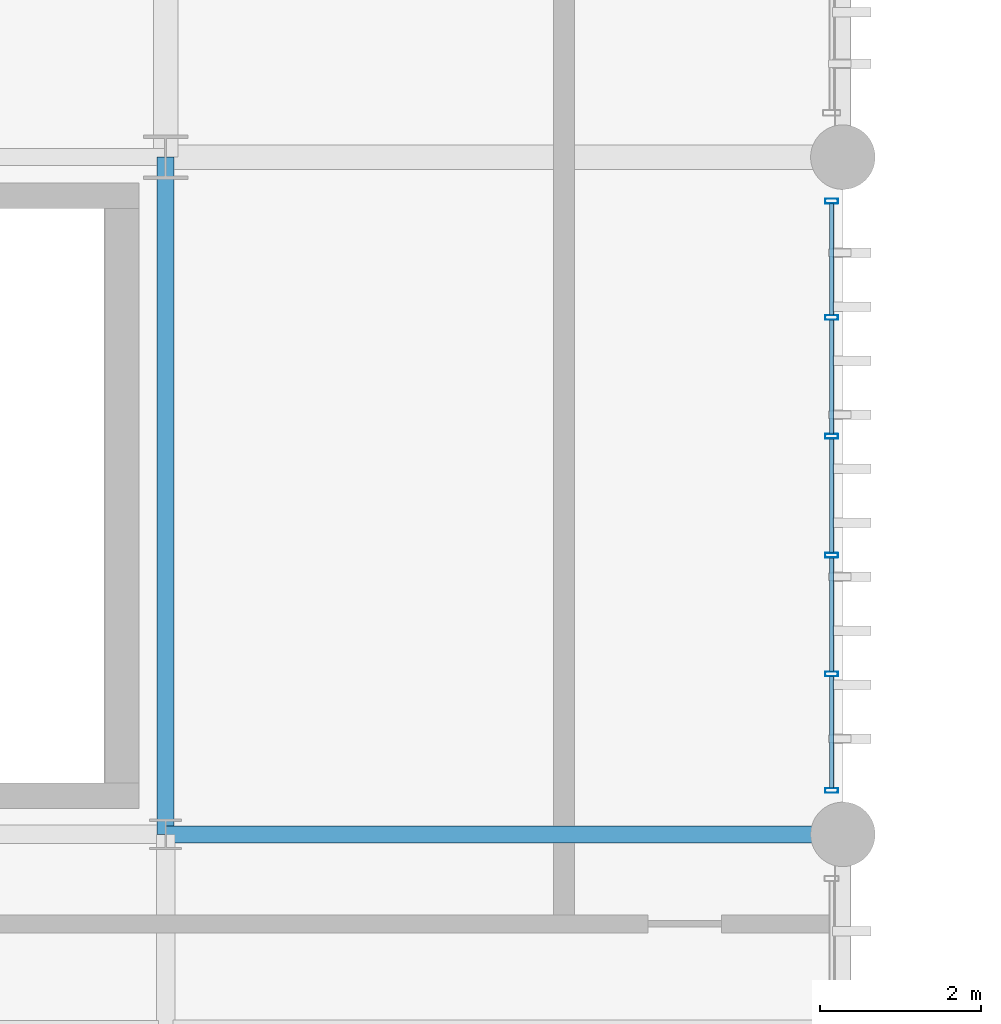
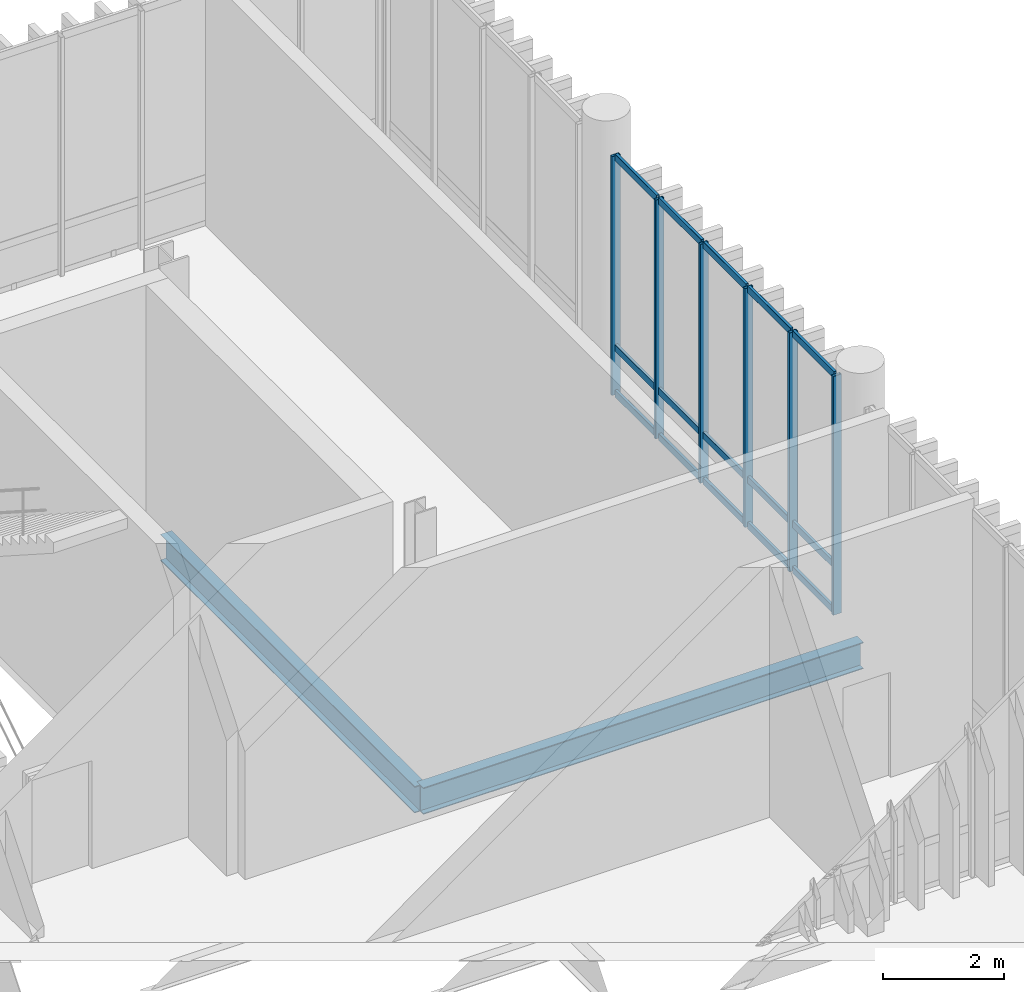
# One storey, part 65 of 128: 21 members, 2 beams, 1 element without a shape of its own.
"""IFC4 building model written with IfcOpenShell, lengths in metres."""

import ifcopenshell
import ifcopenshell.guid

model = None  # the IFC model being written
_history = None  # IfcOwnerHistory: only IFC2X3 demands one
_inside = {}  # id of a spatial element -> (the spatial element, [elements in it])
_under = {}  # id of a project, library or spatial element -> (it, [spatial elements below it])
_declared = {}  # id of a project -> (the project, [libraries it declares])
_typed = {}  # id of a type object -> (the type object, [elements of that type])
_made_of = {}  # id of a material, layer set ... -> (it, [elements and type objects made of it])


def new_model(schema):
    """Start an empty IFC model of exactly this schema.

    Asked for "IFC4X3", IfcOpenShell would pick the latest addendum, in which some entities
    have other attributes; the version numbers below select the first issue.
    IFC2X3 requires an IfcOwnerHistory on every rooted entity: one is made here for all.
    """
    global model, _history
    if schema == "IFC4X3":
        model = ifcopenshell.file(schema_version=(4, 3, 0, 0))
    else:
        model = ifcopenshell.file(schema=schema)
    _inside.clear()
    _under.clear()
    _declared.clear()
    _typed.clear()
    _made_of.clear()
    _history = None
    if model.schema == "IFC2X3":
        org = make("IfcOrganization", Name="unknown")
        user = make(
            "IfcPersonAndOrganization",
            ThePerson=make("IfcPerson", FamilyName="unknown"),
            TheOrganization=org,
        )
        app = make(
            "IfcApplication",
            ApplicationDeveloper=org,
            Version="unknown",
            ApplicationFullName="unknown",
            ApplicationIdentifier="unknown",
        )
        _history = make(
            "IfcOwnerHistory",
            OwningUser=user,
            OwningApplication=app,
            ChangeAction="ADDED",
            CreationDate=0,
        )
    return model


def make(cls, **values):
    """One entity of the class cls with the attributes given. An attribute that is None is left unset."""
    return model.create_entity(
        cls, **{name: value for name, value in values.items() if value is not None}
    )


def rooted(cls, **values):
    """An entity with a GlobalId (a new one), such as an element, a storey or a relation."""
    return make(cls, GlobalId=ifcopenshell.guid.new(), OwnerHistory=_history, **values)


def si_unit(unit_type, name, prefix=None):
    """IfcSIUnit, for example si_unit("LENGTHUNIT", "METRE", prefix="MILLI")."""
    return make("IfcSIUnit", UnitType=unit_type, Prefix=prefix, Name=name)


def assignment(units):
    """IfcUnitAssignment: the units of a project."""
    return None if units is None else make("IfcUnitAssignment", Units=units)


def point(xyz):
    """IfcCartesianPoint."""
    return None if xyz is None else make("IfcCartesianPoint", Coordinates=xyz)


def direction(xyz):
    """IfcDirection."""
    return None if xyz is None else make("IfcDirection", DirectionRatios=xyz)


def frame(location, z_axis=None, x_axis=None):
    """IfcAxis2Placement3D, a coordinate frame: its origin and axes. An axis left out is left unset."""
    return make(
        "IfcAxis2Placement3D",
        Location=point(location),
        Axis=direction(z_axis),
        RefDirection=direction(x_axis),
    )


def frame_2d(location, x_axis=None):
    """IfcAxis2Placement2D, a coordinate frame in the plane: its origin and x axis."""
    return make(
        "IfcAxis2Placement2D", Location=point(location), RefDirection=direction(x_axis)
    )


def origin_with_axes():
    """The frame at (0, 0, 0) with the z axis (0, 0, 1) and the x axis (1, 0, 0) written out."""
    return frame((0.0, 0.0, 0.0), z_axis=(0.0, 0.0, 1.0), x_axis=(1.0, 0.0, 0.0))


def origin_2d_with_axis():
    """The frame at (0, 0) in the plane with the x axis (1, 0) written out."""
    return frame_2d((0.0, 0.0), x_axis=(1.0, 0.0))


def place(relative_to, where):
    """IfcLocalPlacement: puts the frame where relative to a parent placement (None: the world)."""
    return make(
        "IfcLocalPlacement", PlacementRelTo=relative_to, RelativePlacement=where
    )


def context(
    kind, dimensions, precision=None, world=None, true_north=None, identifier=None
):
    """IfcGeometricRepresentationContext, for example the 3D "Model" context."""
    return make(
        "IfcGeometricRepresentationContext",
        ContextIdentifier=identifier,
        ContextType=kind,
        CoordinateSpaceDimension=dimensions,
        Precision=precision,
        WorldCoordinateSystem=world,
        TrueNorth=true_north,
    )


def subcontext(parent, identifier, kind, view, scale=None):
    """IfcGeometricRepresentationSubContext, for example "Body" below "Model"."""
    return make(
        "IfcGeometricRepresentationSubContext",
        ContextIdentifier=identifier,
        ContextType=kind,
        ParentContext=parent,
        TargetScale=scale,
        TargetView=view,
    )


def project(units=None, contexts=None):
    """IfcProject with its units and contexts."""
    return rooted(
        "IfcProject",
        Name="project",
        RepresentationContexts=contexts,
        UnitsInContext=assignment(units),
    )


def spatial(cls, under=None, at=None, **own):
    """A site, building, storey or space (cls), placed at a placement, below another one or the project."""
    s = rooted(cls, ObjectPlacement=at, **own)
    if under is not None:
        _under.setdefault(under.id(), (under, []))[1].append(s)
    return s


def profile(cls, at=None, kind="AREA", **sizes):
    """A parametric profile (cls). Its sizes go by their IFC names, for example OverallWidth=200.0."""
    return make(cls, ProfileType=kind, Position=at, **sizes)


def hollow_rectangle(**sizes):
    """IfcRectangleHollowProfileDef."""
    return profile("IfcRectangleHollowProfileDef", **sizes)


def i_section(**sizes):
    """IfcIShapeProfileDef."""
    return profile("IfcIShapeProfileDef", **sizes)


def extrude(swept, where, along, depth):
    """IfcExtrudedAreaSolid: the profile swept, set in the frame where, extruded along a direction by depth."""
    return make(
        "IfcExtrudedAreaSolid",
        SweptArea=swept,
        Position=where,
        ExtrudedDirection=direction(along),
        Depth=depth,
    )


def shape(context_of_items, identifier, shape_type, items):
    """IfcShapeRepresentation: the items that make up one representation, for example the "Body"."""
    return make(
        "IfcShapeRepresentation",
        ContextOfItems=context_of_items,
        RepresentationIdentifier=identifier,
        RepresentationType=shape_type,
        Items=items,
    )


def material(Name=None, Category=None):
    """IfcMaterial."""
    return make("IfcMaterial", Name=Name, Category=Category)


def material_profile(
    of_material, cross_section, Name=None, Category=None, Priority=None
):
    """IfcMaterialProfile: a cross section and its material."""
    return make(
        "IfcMaterialProfile",
        Name=Name,
        Material=of_material,
        Profile=cross_section,
        Priority=Priority,
        Category=Category,
    )


def profile_set(profiles, Name=None, composite=None):
    """IfcMaterialProfileSet."""
    return make(
        "IfcMaterialProfileSet",
        Name=Name,
        MaterialProfiles=profiles,
        CompositeProfile=composite,
    )


def made_of(thing, what):
    """Note that an element or type object is made of a material, layer set ...; save() writes the relation."""
    if what is not None:
        _made_of.setdefault(what.id(), (what, []))[1].append(thing)
    return thing


def type_object(cls, material=None, **own):
    """A type object (cls), such as IfcWallType, which elements share."""
    return made_of(rooted(cls, **own), material)


def element(
    cls,
    number,
    at=None,
    inside=None,
    cuts=None,
    type_object=None,
    material=None,
    context=None,
    identifier="Body",
    shape_type=None,
    held_by="IfcProductDefinitionShape",
    body=None,
    shapes=None,
    **own,
):
    """One element of the class cls, such as IfcWall. Its Tag is "e" and its number.

    at: its placement. inside: the storey or other place that contains it. cuts: it is an
    opening in that element (IfcRelVoidsElement). A single representation is given by context,
    identifier, shape_type and body (its items); several are given by shapes. held_by: the class
    of the entity that holds the representations. save() writes the other relations.
    """
    e = rooted(cls, Tag="e%d" % number, ObjectPlacement=at, **own)
    if body is not None:
        shapes = [shape(context, identifier, shape_type, body)]
    if shapes is not None:
        e.Representation = make(held_by, Representations=shapes)
    if inside is not None:
        _inside.setdefault(inside.id(), (inside, []))[1].append(e)
    if cuts is not None:
        rooted(
            "IfcRelVoidsElement", RelatingBuildingElement=cuts, RelatedOpeningElement=e
        )
    if type_object is not None:
        _typed.setdefault(type_object.id(), (type_object, []))[1].append(e)
    return made_of(e, material)


def aggregate(whole, parts):
    """IfcRelAggregates: a whole, such as a stair, and the parts it consists of."""
    return rooted("IfcRelAggregates", RelatingObject=whole, RelatedObjects=parts)


def save(model, path):
    """Write the relations noted so far, then the file.

    IfcRelAggregates (storeys below a building ...), IfcRelContainedInSpatialStructure (elements
    in a storey), IfcRelDefinesByType, IfcRelAssociatesMaterial and IfcRelDeclares: one each for
    every whole, place, type object, material and project.
    """
    for whole, parts in _under.values():
        aggregate(whole, parts)
    for where, things in _inside.values():
        rooted(
            "IfcRelContainedInSpatialStructure",
            RelatedElements=things,
            RelatingStructure=where,
        )
    for kind, things in _typed.values():
        rooted("IfcRelDefinesByType", RelatedObjects=things, RelatingType=kind)
    for what, things in _made_of.values():
        rooted("IfcRelAssociatesMaterial", RelatedObjects=things, RelatingMaterial=what)
    for by, libraries in _declared.values():
        rooted("IfcRelDeclares", RelatingContext=by, RelatedDefinitions=libraries)
    model.write(path)


model = new_model("IFC4")

# Units and contexts
model_context = context("Model", 3, precision=1e-05, world=origin_with_axes(), true_north=direction((0.0, 1.0)))
body_context = subcontext(model_context, "Body", "Model", "MODEL_VIEW")
ifc_project = project(units=[si_unit("LENGTHUNIT", "METRE"), si_unit("AREAUNIT", "SQUARE_METRE"), si_unit("VOLUMEUNIT", "CUBIC_METRE"), si_unit("PLANEANGLEUNIT", "RADIAN"), si_unit("MASSUNIT", "GRAM", prefix="KILO"), si_unit("THERMODYNAMICTEMPERATUREUNIT", "KELVIN")], contexts=[model_context])

# Site, building, storey
site_placement = place(None, origin_with_axes())
site = spatial("IfcSite", under=ifc_project, at=site_placement, CompositionType="ELEMENT")
building_placement = place(site_placement, origin_with_axes())
building = spatial("IfcBuilding", under=site, at=building_placement, Name="Montbau Bow Law Courts", CompositionType="ELEMENT")
storey_placement = place(building_placement, frame((0.0, 0.0, 5.4), z_axis=(0.0, 0.0, 1.0), x_axis=(1.0, 0.0, 0.0)))
storey = spatial("IfcBuildingStorey", under=building, at=storey_placement, Name="L01", CompositionType="ELEMENT", Elevation=5.4)

# Beams
ifc_material_1 = material(Name="Steel CSA G40.21 Grade 350W (350 MPa)", Category="steel")
ifc_material_profile_1 = material_profile(ifc_material_1, i_section(OverallWidth=0.21, OverallDepth=0.537, WebThickness=0.0109, FlangeThickness=0.0174, at=origin_2d_with_axis()), Name="W530X101", Category="Main", Priority=0)
ifc_profile_set_1 = profile_set([ifc_material_profile_1], Name="Steel CSA G40.21 Grade 350W (350 MPa)")
beam_type = type_object("IfcBeamType", Name="B-FLR-06", PredefinedType="BEAM", material=ifc_profile_set_1)
for number, where, z_axis, x_axis, name in (
    (1, (88.8, 46.2, 4.891), (1.0, 0.0, 0.0), (0.0, 1.0, 0.0), "BM-L01-S0809:bm2_0812"),
    (2, (88.8, 46.2, 4.891), (0.0, 1.0, 0.0), (-1.0, 0.0, 0.0), "BM-L01-S0835:bm2_0838"),
):
    element("IfcBeam", number, at=place(None, frame(where, z_axis=z_axis, x_axis=x_axis)), inside=storey, type_object=beam_type, Name=name, PredefinedType="BEAM", context=body_context, shape_type="SweptSolid", body=[
        extrude(i_section(OverallWidth=0.21, OverallDepth=0.537, WebThickness=0.0109, FlangeThickness=0.0174, at=origin_2d_with_axis()), origin_with_axes(), (0.0, 0.0, 1.0), 8.4),
    ])

# Curtain wall, members
ifc_material_2 = material(Name="Thermally Broken Extruded Aluminium AA 6063-T6", Category="aluminium")
curtain_wall_type = type_object("IfcCurtainWallType", Name="CW-CRM-01", PredefinedType="NOTDEFINED", material=ifc_material_2)
curtain_wall_placement = place(None, frame((97.06, 46.715, 5.4), z_axis=(0.0, 0.0, 1.0), x_axis=(1.0, 0.0, 0.0)))
curtain_wall = element("IfcCurtainWall", 3, at=curtain_wall_placement, inside=storey, type_object=curtain_wall_type, Name="CW-L01-155:cw_0155", PredefinedType="NOTDEFINED")
ifc_material_profile_2 = material_profile(ifc_material_2, hollow_rectangle(XDim=0.06, YDim=0.16, WallThickness=0.004, InnerFilletRadius=0.008, OuterFilletRadius=0.004, at=origin_2d_with_axis()), Name="CWM-160X60", Category="Main", Priority=0)
ifc_profile_set_2 = profile_set([ifc_material_profile_2], Name="Thermally Broken Extruded Aluminium AA 6063-T6")
member_type_1 = type_object("IfcMemberType", Name="M-MUL-03", PredefinedType="MULLION", material=ifc_profile_set_2)
member_1_placement = place(None, frame((97.06, 46.745, 5.4), z_axis=(0.0, 0.0, 1.0), x_axis=(0.0, 1.0, 0.0)))
member_1 = element("IfcMember", 4, at=member_1_placement, type_object=member_type_1, Name="CW-L01-155-M01:cw_0155_M01", PredefinedType="MULLION", context=body_context, shape_type="SweptSolid", body=[
    extrude(hollow_rectangle(XDim=0.06, YDim=0.16, WallThickness=0.004, InnerFilletRadius=0.008, OuterFilletRadius=0.004, at=origin_2d_with_axis()), origin_with_axes(), (0.0, 0.0, 1.0), 4.82),
])
member_2_placement = place(None, frame((97.06, 48.189, 5.4), z_axis=(0.0, 0.0, 1.0), x_axis=(0.0, 1.0, 0.0)))
member_2 = element("IfcMember", 5, at=member_2_placement, type_object=member_type_1, Name="CW-L01-155-M02:cw_0155_M02", PredefinedType="MULLION", context=body_context, shape_type="SweptSolid", body=[
    extrude(hollow_rectangle(XDim=0.06, YDim=0.16, WallThickness=0.004, InnerFilletRadius=0.008, OuterFilletRadius=0.004, at=origin_2d_with_axis()), origin_with_axes(), (0.0, 0.0, 1.0), 4.82),
])
member_3_placement = place(None, frame((97.06, 49.663, 5.4), z_axis=(0.0, 0.0, 1.0), x_axis=(0.0, 1.0, 0.0)))
member_3 = element("IfcMember", 6, at=member_3_placement, type_object=member_type_1, Name="CW-L01-155-M03:cw_0155_M03", PredefinedType="MULLION", context=body_context, shape_type="SweptSolid", body=[
    extrude(hollow_rectangle(XDim=0.06, YDim=0.16, WallThickness=0.004, InnerFilletRadius=0.008, OuterFilletRadius=0.004, at=origin_2d_with_axis()), origin_with_axes(), (0.0, 0.0, 1.0), 4.82),
])
member_4_placement = place(None, frame((97.06, 51.137, 5.4), z_axis=(0.0, 0.0, 1.0), x_axis=(0.0, 1.0, 0.0)))
member_4 = element("IfcMember", 7, at=member_4_placement, type_object=member_type_1, Name="CW-L01-155-M04:cw_0155_M04", PredefinedType="MULLION", context=body_context, shape_type="SweptSolid", body=[
    extrude(hollow_rectangle(XDim=0.06, YDim=0.16, WallThickness=0.004, InnerFilletRadius=0.008, OuterFilletRadius=0.004, at=origin_2d_with_axis()), origin_with_axes(), (0.0, 0.0, 1.0), 4.82),
])
member_5_placement = place(None, frame((97.06, 52.611, 5.4), z_axis=(0.0, 0.0, 1.0), x_axis=(0.0, 1.0, 0.0)))
member_5 = element("IfcMember", 8, at=member_5_placement, type_object=member_type_1, Name="CW-L01-155-M05:cw_0155_M05", PredefinedType="MULLION", context=body_context, shape_type="SweptSolid", body=[
    extrude(hollow_rectangle(XDim=0.06, YDim=0.16, WallThickness=0.004, InnerFilletRadius=0.008, OuterFilletRadius=0.004, at=origin_2d_with_axis()), origin_with_axes(), (0.0, 0.0, 1.0), 4.82),
])
member_6_placement = place(None, frame((97.06, 54.055, 5.4), z_axis=(0.0, 0.0, 1.0), x_axis=(0.0, 1.0, 0.0)))
member_6 = element("IfcMember", 9, at=member_6_placement, type_object=member_type_1, Name="CW-L01-155-M06:cw_0155_M06", PredefinedType="MULLION", context=body_context, shape_type="SweptSolid", body=[
    extrude(hollow_rectangle(XDim=0.06, YDim=0.16, WallThickness=0.004, InnerFilletRadius=0.008, OuterFilletRadius=0.004, at=origin_2d_with_axis()), origin_with_axes(), (0.0, 0.0, 1.0), 4.82),
])
ifc_material_profile_3 = material_profile(ifc_material_2, hollow_rectangle(XDim=0.055, YDim=0.14, WallThickness=0.004, InnerFilletRadius=0.008, OuterFilletRadius=0.004, at=origin_2d_with_axis()), Name="CWT-140X55", Category="Main", Priority=0)
ifc_profile_set_3 = profile_set([ifc_material_profile_3], Name="Thermally Broken Extruded Aluminium AA 6063-T6")
member_type_2 = type_object("IfcMemberType", Name="M-TRN-02", PredefinedType="USERDEFINED", material=ifc_profile_set_3)
member_7_placement = place(None, frame((97.06, 46.777, 5.428), z_axis=(0.0, 1.0, 0.0), x_axis=(-1.0, 0.0, 0.0)))
member_7 = element("IfcMember", 10, at=member_7_placement, type_object=member_type_2, Name="CW-L01-155-T01-1:cw_0155_T01_1", ObjectType="TRANSOM", PredefinedType="USERDEFINED", context=body_context, shape_type="SweptSolid", body=[
    extrude(hollow_rectangle(XDim=0.055, YDim=0.14, WallThickness=0.004, InnerFilletRadius=0.008, OuterFilletRadius=0.004, at=origin_2d_with_axis()), origin_with_axes(), (0.0, 0.0, 1.0), 1.38),
])
member_8_placement = place(None, frame((97.06, 46.777, 6.35), z_axis=(0.0, 1.0, 0.0), x_axis=(-1.0, 0.0, 0.0)))
member_8 = element("IfcMember", 11, at=member_8_placement, type_object=member_type_2, Name="CW-L01-155-T01-2:cw_0155_T01_2", ObjectType="TRANSOM", PredefinedType="USERDEFINED", context=body_context, shape_type="SweptSolid", body=[
    extrude(hollow_rectangle(XDim=0.055, YDim=0.14, WallThickness=0.004, InnerFilletRadius=0.008, OuterFilletRadius=0.004, at=origin_2d_with_axis()), origin_with_axes(), (0.0, 0.0, 1.0), 1.38),
])
member_9_placement = place(None, frame((97.06, 46.777, 10.193), z_axis=(0.0, 1.0, 0.0), x_axis=(-1.0, 0.0, 0.0)))
member_9 = element("IfcMember", 12, at=member_9_placement, type_object=member_type_2, Name="CW-L01-155-T01-3:cw_0155_T01_3", ObjectType="TRANSOM", PredefinedType="USERDEFINED", context=body_context, shape_type="SweptSolid", body=[
    extrude(hollow_rectangle(XDim=0.055, YDim=0.14, WallThickness=0.004, InnerFilletRadius=0.008, OuterFilletRadius=0.004, at=origin_2d_with_axis()), origin_with_axes(), (0.0, 0.0, 1.0), 1.38),
])
member_10_placement = place(None, frame((97.06, 48.221, 5.428), z_axis=(0.0, 1.0, 0.0), x_axis=(-1.0, 0.0, 0.0)))
member_10 = element("IfcMember", 13, at=member_10_placement, type_object=member_type_2, Name="CW-L01-155-T02-1:cw_0155_T02_1", ObjectType="TRANSOM", PredefinedType="USERDEFINED", context=body_context, shape_type="SweptSolid", body=[
    extrude(hollow_rectangle(XDim=0.055, YDim=0.14, WallThickness=0.004, InnerFilletRadius=0.008, OuterFilletRadius=0.004, at=origin_2d_with_axis()), origin_with_axes(), (0.0, 0.0, 1.0), 1.41),
])
member_11_placement = place(None, frame((97.06, 48.221, 6.35), z_axis=(0.0, 1.0, 0.0), x_axis=(-1.0, 0.0, 0.0)))
member_11 = element("IfcMember", 14, at=member_11_placement, type_object=member_type_2, Name="CW-L01-155-T02-2:cw_0155_T02_2", ObjectType="TRANSOM", PredefinedType="USERDEFINED", context=body_context, shape_type="SweptSolid", body=[
    extrude(hollow_rectangle(XDim=0.055, YDim=0.14, WallThickness=0.004, InnerFilletRadius=0.008, OuterFilletRadius=0.004, at=origin_2d_with_axis()), origin_with_axes(), (0.0, 0.0, 1.0), 1.41),
])
member_12_placement = place(None, frame((97.06, 48.221, 10.193), z_axis=(0.0, 1.0, 0.0), x_axis=(-1.0, 0.0, 0.0)))
member_12 = element("IfcMember", 15, at=member_12_placement, type_object=member_type_2, Name="CW-L01-155-T02-3:cw_0155_T02_3", ObjectType="TRANSOM", PredefinedType="USERDEFINED", context=body_context, shape_type="SweptSolid", body=[
    extrude(hollow_rectangle(XDim=0.055, YDim=0.14, WallThickness=0.004, InnerFilletRadius=0.008, OuterFilletRadius=0.004, at=origin_2d_with_axis()), origin_with_axes(), (0.0, 0.0, 1.0), 1.41),
])
member_13_placement = place(None, frame((97.06, 49.695, 5.428), z_axis=(0.0, 1.0, 0.0), x_axis=(-1.0, 0.0, 0.0)))
member_13 = element("IfcMember", 16, at=member_13_placement, type_object=member_type_2, Name="CW-L01-155-T03-1:cw_0155_T03_1", ObjectType="TRANSOM", PredefinedType="USERDEFINED", context=body_context, shape_type="SweptSolid", body=[
    extrude(hollow_rectangle(XDim=0.055, YDim=0.14, WallThickness=0.004, InnerFilletRadius=0.008, OuterFilletRadius=0.004, at=origin_2d_with_axis()), origin_with_axes(), (0.0, 0.0, 1.0), 1.41),
])
member_14_placement = place(None, frame((97.06, 49.695, 6.35), z_axis=(0.0, 1.0, 0.0), x_axis=(-1.0, 0.0, 0.0)))
member_14 = element("IfcMember", 17, at=member_14_placement, type_object=member_type_2, Name="CW-L01-155-T03-2:cw_0155_T03_2", ObjectType="TRANSOM", PredefinedType="USERDEFINED", context=body_context, shape_type="SweptSolid", body=[
    extrude(hollow_rectangle(XDim=0.055, YDim=0.14, WallThickness=0.004, InnerFilletRadius=0.008, OuterFilletRadius=0.004, at=origin_2d_with_axis()), origin_with_axes(), (0.0, 0.0, 1.0), 1.41),
])
member_15_placement = place(None, frame((97.06, 49.695, 10.193), z_axis=(0.0, 1.0, 0.0), x_axis=(-1.0, 0.0, 0.0)))
member_15 = element("IfcMember", 18, at=member_15_placement, type_object=member_type_2, Name="CW-L01-155-T03-3:cw_0155_T03_3", ObjectType="TRANSOM", PredefinedType="USERDEFINED", context=body_context, shape_type="SweptSolid", body=[
    extrude(hollow_rectangle(XDim=0.055, YDim=0.14, WallThickness=0.004, InnerFilletRadius=0.008, OuterFilletRadius=0.004, at=origin_2d_with_axis()), origin_with_axes(), (0.0, 0.0, 1.0), 1.41),
])
member_16_placement = place(None, frame((97.06, 51.169, 5.428), z_axis=(0.0, 1.0, 0.0), x_axis=(-1.0, 0.0, 0.0)))
member_16 = element("IfcMember", 19, at=member_16_placement, type_object=member_type_2, Name="CW-L01-155-T04-1:cw_0155_T04_1", ObjectType="TRANSOM", PredefinedType="USERDEFINED", context=body_context, shape_type="SweptSolid", body=[
    extrude(hollow_rectangle(XDim=0.055, YDim=0.14, WallThickness=0.004, InnerFilletRadius=0.008, OuterFilletRadius=0.004, at=origin_2d_with_axis()), origin_with_axes(), (0.0, 0.0, 1.0), 1.41),
])
member_17_placement = place(None, frame((97.06, 51.169, 6.35), z_axis=(0.0, 1.0, 0.0), x_axis=(-1.0, 0.0, 0.0)))
member_17 = element("IfcMember", 20, at=member_17_placement, type_object=member_type_2, Name="CW-L01-155-T04-2:cw_0155_T04_2", ObjectType="TRANSOM", PredefinedType="USERDEFINED", context=body_context, shape_type="SweptSolid", body=[
    extrude(hollow_rectangle(XDim=0.055, YDim=0.14, WallThickness=0.004, InnerFilletRadius=0.008, OuterFilletRadius=0.004, at=origin_2d_with_axis()), origin_with_axes(), (0.0, 0.0, 1.0), 1.41),
])
member_18_placement = place(None, frame((97.06, 51.169, 10.193), z_axis=(0.0, 1.0, 0.0), x_axis=(-1.0, 0.0, 0.0)))
member_18 = element("IfcMember", 21, at=member_18_placement, type_object=member_type_2, Name="CW-L01-155-T04-3:cw_0155_T04_3", ObjectType="TRANSOM", PredefinedType="USERDEFINED", context=body_context, shape_type="SweptSolid", body=[
    extrude(hollow_rectangle(XDim=0.055, YDim=0.14, WallThickness=0.004, InnerFilletRadius=0.008, OuterFilletRadius=0.004, at=origin_2d_with_axis()), origin_with_axes(), (0.0, 0.0, 1.0), 1.41),
])
member_19_placement = place(None, frame((97.06, 52.643, 5.428), z_axis=(0.0, 1.0, 0.0), x_axis=(-1.0, 0.0, 0.0)))
member_19 = element("IfcMember", 22, at=member_19_placement, type_object=member_type_2, Name="CW-L01-155-T05-1:cw_0155_T05_1", ObjectType="TRANSOM", PredefinedType="USERDEFINED", context=body_context, shape_type="SweptSolid", body=[
    extrude(hollow_rectangle(XDim=0.055, YDim=0.14, WallThickness=0.004, InnerFilletRadius=0.008, OuterFilletRadius=0.004, at=origin_2d_with_axis()), origin_with_axes(), (0.0, 0.0, 1.0), 1.38),
])
member_20_placement = place(None, frame((97.06, 52.643, 6.35), z_axis=(0.0, 1.0, 0.0), x_axis=(-1.0, 0.0, 0.0)))
member_20 = element("IfcMember", 23, at=member_20_placement, type_object=member_type_2, Name="CW-L01-155-T05-2:cw_0155_T05_2", ObjectType="TRANSOM", PredefinedType="USERDEFINED", context=body_context, shape_type="SweptSolid", body=[
    extrude(hollow_rectangle(XDim=0.055, YDim=0.14, WallThickness=0.004, InnerFilletRadius=0.008, OuterFilletRadius=0.004, at=origin_2d_with_axis()), origin_with_axes(), (0.0, 0.0, 1.0), 1.38),
])
member_21_placement = place(None, frame((97.06, 52.643, 10.193), z_axis=(0.0, 1.0, 0.0), x_axis=(-1.0, 0.0, 0.0)))
member_21 = element("IfcMember", 24, at=member_21_placement, type_object=member_type_2, Name="CW-L01-155-T05-3:cw_0155_T05_3", ObjectType="TRANSOM", PredefinedType="USERDEFINED", context=body_context, shape_type="SweptSolid", body=[
    extrude(hollow_rectangle(XDim=0.055, YDim=0.14, WallThickness=0.004, InnerFilletRadius=0.008, OuterFilletRadius=0.004, at=origin_2d_with_axis()), origin_with_axes(), (0.0, 0.0, 1.0), 1.38),
])
aggregate(curtain_wall, [member_1, member_2, member_3, member_4, member_5, member_6, member_7, member_8, member_9, member_10, member_11, member_12, member_13, member_14, member_15, member_16, member_17, member_18, member_19, member_20, member_21])

save(model, "model.ifc")
